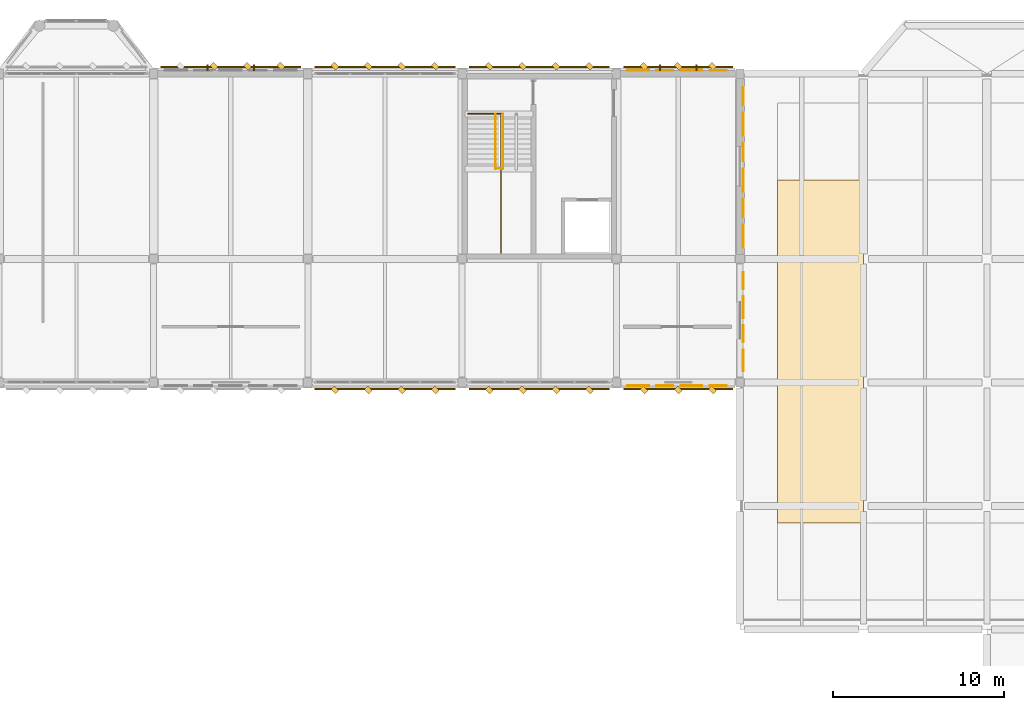
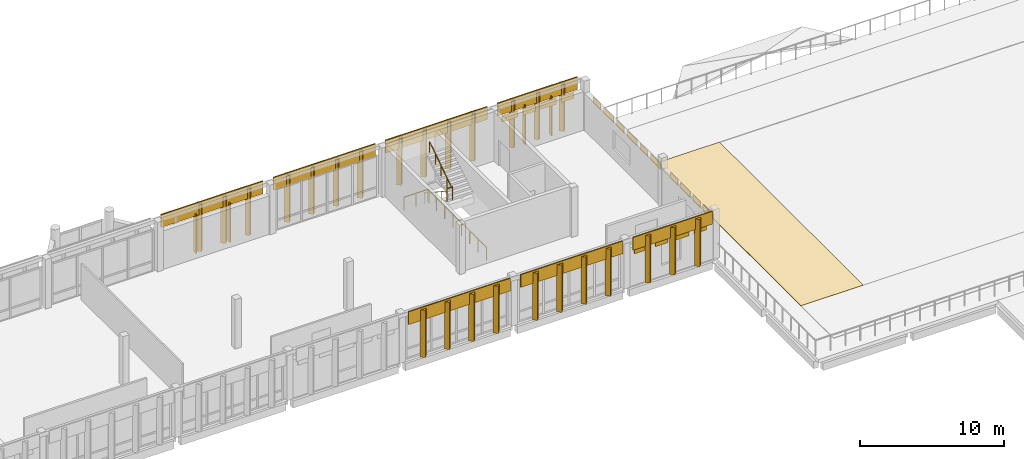
# One storey, part 70 of 72: 55 coverings, 4 railings.
"""IFC4 building model written with IfcOpenShell, lengths in metres."""

from ifc_helpers import new_model, si_unit, direction, frame, origin, origin_2d, place, context, subcontext, project, spatial, polyline, rectangle, circle, outline, extrude, material, layer, layer_set, type_object, element, save


model = new_model("IFC4")

# Units and contexts
model_context = context("Model", 3, precision=1e-05, world=origin(), true_north=direction((0.0, 1.0)))
body_context = subcontext(model_context, "Body", "Model", "MODEL_VIEW")
ifc_project = project(units=[si_unit("LENGTHUNIT", "METRE"), si_unit("AREAUNIT", "SQUARE_METRE"), si_unit("VOLUMEUNIT", "CUBIC_METRE"), si_unit("PLANEANGLEUNIT", "RADIAN"), si_unit("MASSUNIT", "GRAM", prefix="KILO")], contexts=[model_context])

# Site, building, storey
site_placement = place(None, origin())
site = spatial("IfcSite", under=ifc_project, at=site_placement, CompositionType="ELEMENT")
building_placement = place(site_placement, origin())
building = spatial("IfcBuilding", under=site, at=building_placement, Name="Lusvemor Sports Hall", CompositionType="ELEMENT")
storey_placement = place(building_placement, frame((0.0, 0.0, 15.0)))
storey = spatial("IfcBuildingStorey", under=building, at=storey_placement, Name="L03", CompositionType="ELEMENT", Elevation=15.0)

# Coverings
ifc_material_1 = material(Name="Emerald polychrome glazed ceramic cladding on Concrete C40/50 backing", Category="concrete")
ifc_layer_1 = layer(ifc_material_1, 0.0458984375)
ifc_layer_set_1 = layer_set([ifc_layer_1], Name="Emerald polychrome glazed ceramic cladding on Concrete C40/50 backing")
covering_type_1 = type_object("IfcCoveringType", Name="CLAD_WAVE_EMERALD", PredefinedType="CLADDING", material=ifc_layer_set_1)
for number, where, z_axis, x_axis, name in (
    (1, (112.875, 115.39794921875, 2.669921875), (0.0, 0.0, 1.0), (1.0, 0.0, 0.0), "Art Nouveau Patterned Cladding PS-EW-L03-N-1-11-1"),
    (2, (115.97509765625, 115.39794921875, 2.669921875), (0.0, 0.0, 1.0), (1.0, 0.0, 0.0), "Art Nouveau Patterned Cladding PS-EW-L03-N-1-11-3"),
):
    element("IfcCovering", number, at=place(storey_placement, frame(where, z_axis=z_axis, x_axis=x_axis)), inside=storey, type_object=covering_type_1, Name=name, PredefinedType="CLADDING", context=body_context, shape_type="SweptSolid", body=[
        extrude(rectangle(XDim=1.27099609375, YDim=0.0458984375, at=origin_2d()), origin(), (0.0, 0.0, 1.0), 0.510009765625),
    ])
for number, where, z_axis, x_axis, name in (
    (3, (118.998046875, 98.47509765625, 2.669921875), (0.0, 0.0, 1.0), (1.0, 0.0, 0.0), "Art Nouveau Patterned Cladding PS-EW-L03-E-2-0-1"),
    (4, (118.998046875, 101.574951171875, 2.669921875), (0.0, 0.0, 1.0), (1.0, 0.0, 0.0), "Art Nouveau Patterned Cladding PS-EW-L03-E-2-0-3"),
):
    element("IfcCovering", number, at=place(storey_placement, frame(where, z_axis=z_axis, x_axis=x_axis)), inside=storey, type_object=covering_type_1, Name=name, PredefinedType="CLADDING", context=body_context, shape_type="SweptSolid", body=[
        extrude(rectangle(XDim=0.0458984375, YDim=1.27099609375, at=origin_2d()), origin(), (0.0, 0.0, 1.0), 0.510009765625),
    ])
for number, where, z_axis, x_axis, name in (
    (5, (118.998046875, 105.716796875, 2.580078125), (0.0, 0.0, 1.0), (1.0, 0.0, 0.0), "Art Nouveau Patterned Cladding PS-EW-L03-E-2-1-1"),
    (6, (118.998046875, 108.9833984375, 2.580078125), (0.0, 0.0, 1.0), (1.0, 0.0, 0.0), "Art Nouveau Patterned Cladding PS-EW-L03-E-2-1-3"),
    (7, (118.998046875, 112.25, 2.580078125), (0.0, 0.0, 1.0), (1.0, 0.0, 0.0), "Art Nouveau Patterned Cladding PS-EW-L03-E-2-1-5"),
):
    element("IfcCovering", number, at=place(storey_placement, frame(where, z_axis=z_axis, x_axis=x_axis)), inside=storey, type_object=covering_type_1, Name=name, PredefinedType="CLADDING", context=body_context, shape_type="SweptSolid", body=[
        extrude(rectangle(XDim=0.0458984375, YDim=1.33935546875, at=origin_2d()), origin(), (0.0, 0.0, 1.0), 0.510009765625),
    ])
for number, where, z_axis, x_axis, name in (
    (8, (112.875, 97.001953125, 2.669921875), (0.0, 0.0, 1.0), (1.0, 0.0, 0.0), "Art Nouveau Patterned Cladding PS-EW-L03-S-3-9-1"),
    (9, (115.97509765625, 97.001953125, 2.669921875), (0.0, 0.0, 1.0), (1.0, 0.0, 0.0), "Art Nouveau Patterned Cladding PS-EW-L03-S-3-9-3"),
):
    element("IfcCovering", number, at=place(storey_placement, frame(where, z_axis=z_axis, x_axis=x_axis)), inside=storey, type_object=covering_type_1, Name=name, PredefinedType="CLADDING", context=body_context, shape_type="SweptSolid", body=[
        extrude(rectangle(XDim=1.27099609375, YDim=0.0458984375, at=origin_2d()), origin(), (0.0, 0.0, 1.0), 0.510009765625),
    ])
for number, where, z_axis, x_axis, name in (
    (10, (88.125, 115.639892578125, 0.10009765625), (0.0, 0.0, 1.0), (0.707106781187, 0.707106781187, 0.0), "Patterned Diamond Cladding Rib 744"),
    (11, (92.02490234375, 115.639892578125, 0.10009765625), (0.0, 0.0, 1.0), (0.707106781187, 0.707106781187, 0.0), "Patterned Diamond Cladding Rib 746"),
    (12, (97.125, 115.639892578125, 0.10009765625), (0.0, 0.0, 1.0), (0.707106781187, 0.707106781187, 0.0), "Patterned Diamond Cladding Rib 764"),
    (13, (101.02490234375, 115.639892578125, 0.10009765625), (0.0, 0.0, 1.0), (0.707106781187, 0.707106781187, 0.0), "Patterned Diamond Cladding Rib 766"),
    (14, (106.125, 115.639892578125, 0.10009765625), (0.0, 0.0, 1.0), (0.707106781187, 0.707106781187, 0.0), "Patterned Diamond Cladding Rib 784"),
    (15, (110.02490234375, 115.639892578125, 0.10009765625), (0.0, 0.0, 1.0), (0.707106781187, 0.707106781187, 0.0), "Patterned Diamond Cladding Rib 786"),
    (16, (115.199951171875, 115.639892578125, 0.10009765625), (0.0, 0.0, 1.0), (0.707106781187, 0.707106781187, 0.0), "Patterned Diamond Cladding Rib 801"),
    (17, (97.125, 96.760009765625, 0.10009765625), (0.0, 0.0, 1.0), (0.707106781187, 0.707106781187, 0.0), "Patterned Diamond Cladding Rib 1339"),
    (18, (101.02490234375, 96.760009765625, 0.10009765625), (0.0, 0.0, 1.0), (0.707106781187, 0.707106781187, 0.0), "Patterned Diamond Cladding Rib 1341"),
    (19, (106.125, 96.760009765625, 0.10009765625), (0.0, 0.0, 1.0), (0.707106781187, 0.707106781187, 0.0), "Patterned Diamond Cladding Rib 1359"),
    (20, (110.02490234375, 96.760009765625, 0.10009765625), (0.0, 0.0, 1.0), (0.707106781187, 0.707106781187, 0.0), "Patterned Diamond Cladding Rib 1361"),
    (21, (115.199951171875, 96.760009765625, 0.10009765625), (0.0, 0.0, 1.0), (0.707106781187, 0.707106781187, 0.0), "Patterned Diamond Cladding Rib 1376"),
):
    element("IfcCovering", number, at=place(storey_placement, frame(where, z_axis=z_axis, x_axis=x_axis)), inside=storey, type_object=covering_type_1, Name=name, PredefinedType="CLADDING", context=body_context, shape_type="SweptSolid", body=[
        extrude(rectangle(XDim=0.280029296875, YDim=0.3798828125, at=origin_2d()), origin(), (0.0, 0.0, 1.0), 4.0),
    ])
ifc_material_2 = material(Name="Warm terracotta Art Nouveau ceramic cladding on Concrete C40/50 backing", Category="masonry")
ifc_layer_2 = layer(ifc_material_2, 0.0380859375)
ifc_layer_set_2 = layer_set([ifc_layer_2], Name="Warm terracotta Art Nouveau ceramic cladding on Concrete C40/50 backing")
covering_type_2 = type_object("IfcCoveringType", Name="CLAD_WAVE_OCHRE", PredefinedType="CLADDING", material=ifc_layer_set_2)
for number, where, z_axis, x_axis, name in (
    (22, (114.425048828125, 115.39404296875, 2.669921875), (0.0, 0.0, 1.0), (1.0, 0.0, 0.0), "Art Nouveau Patterned Cladding PS-EW-L03-N-1-11-2"),
    (23, (117.52490234375, 115.39404296875, 2.669921875), (0.0, 0.0, 1.0), (1.0, 0.0, 0.0), "Art Nouveau Patterned Cladding PS-EW-L03-N-1-11-4"),
):
    element("IfcCovering", number, at=place(storey_placement, frame(where, z_axis=z_axis, x_axis=x_axis)), inside=storey, type_object=covering_type_2, Name=name, PredefinedType="CLADDING", context=body_context, shape_type="SweptSolid", body=[
        extrude(rectangle(XDim=0.991943359375, YDim=0.0380859375, at=origin_2d()), origin(), (0.0, 0.0, 1.0), 0.510009765625),
    ])
for number, where, z_axis, x_axis, name in (
    (24, (118.993896484375, 100.02490234375, 2.669921875), (0.0, 0.0, 1.0), (1.0, 0.0, 0.0), "Art Nouveau Patterned Cladding PS-EW-L03-E-2-0-2"),
    (25, (118.993896484375, 103.125, 2.669921875), (0.0, 0.0, 1.0), (1.0, 0.0, 0.0), "Art Nouveau Patterned Cladding PS-EW-L03-E-2-0-4"),
):
    element("IfcCovering", number, at=place(storey_placement, frame(where, z_axis=z_axis, x_axis=x_axis)), inside=storey, type_object=covering_type_2, Name=name, PredefinedType="CLADDING", context=body_context, shape_type="SweptSolid", body=[
        extrude(rectangle(XDim=0.0380859375, YDim=0.991943359375, at=origin_2d()), origin(), (0.0, 0.0, 1.0), 0.510009765625),
    ])
for number, where, z_axis, x_axis, name in (
    (26, (118.993896484375, 107.35009765625, 2.580078125), (0.0, 0.0, 1.0), (1.0, 0.0, 0.0), "Art Nouveau Patterned Cladding PS-EW-L03-E-2-1-2"),
    (27, (118.993896484375, 110.61669921875, 2.580078125), (0.0, 0.0, 1.0), (1.0, 0.0, 0.0), "Art Nouveau Patterned Cladding PS-EW-L03-E-2-1-4"),
    (28, (118.993896484375, 113.88330078125, 2.580078125), (0.0, 0.0, 1.0), (1.0, 0.0, 0.0), "Art Nouveau Patterned Cladding PS-EW-L03-E-2-1-6"),
):
    element("IfcCovering", number, at=place(storey_placement, frame(where, z_axis=z_axis, x_axis=x_axis)), inside=storey, type_object=covering_type_2, Name=name, PredefinedType="CLADDING", context=body_context, shape_type="SweptSolid", body=[
        extrude(rectangle(XDim=0.0380859375, YDim=1.04541015625, at=origin_2d()), origin(), (0.0, 0.0, 1.0), 0.510009765625),
    ])
for number, where, z_axis, x_axis, name in (
    (29, (114.425048828125, 97.006103515625, 2.669921875), (0.0, 0.0, 1.0), (1.0, 0.0, 0.0), "Art Nouveau Patterned Cladding PS-EW-L03-S-3-9-2"),
    (30, (117.52490234375, 97.006103515625, 2.669921875), (0.0, 0.0, 1.0), (1.0, 0.0, 0.0), "Art Nouveau Patterned Cladding PS-EW-L03-S-3-9-4"),
):
    element("IfcCovering", number, at=place(storey_placement, frame(where, z_axis=z_axis, x_axis=x_axis)), inside=storey, type_object=covering_type_2, Name=name, PredefinedType="CLADDING", context=body_context, shape_type="SweptSolid", body=[
        extrude(rectangle(XDim=0.991943359375, YDim=0.0380859375, at=origin_2d()), origin(), (0.0, 0.0, 1.0), 0.510009765625),
    ])
for number, where, z_axis, x_axis, name in (
    (31, (89.10009765625, 115.590087890625, 3.179931640625), (0.0, 0.0, 1.0), (1.0, 0.0, 0.0), "Art Nouveau Spandrel Cornice 742"),
    (32, (98.10009765625, 115.590087890625, 3.179931640625), (0.0, 0.0, 1.0), (1.0, 0.0, 0.0), "Art Nouveau Spandrel Cornice 762"),
    (33, (107.10009765625, 115.590087890625, 3.179931640625), (0.0, 0.0, 1.0), (1.0, 0.0, 0.0), "Art Nouveau Spandrel Cornice 782"),
):
    element("IfcCovering", number, at=place(storey_placement, frame(where, z_axis=z_axis, x_axis=x_axis)), inside=storey, type_object=covering_type_2, Name=name, PredefinedType="CLADDING", context=body_context, shape_type="SweptSolid", body=[
        extrude(rectangle(XDim=8.179931640625, YDim=0.090087890625, at=origin_2d()), origin(), (0.0, 0.0, 1.0), 1.080078125),
    ])
covering_1_placement = place(storey_placement, frame((115.199951171875, 115.590087890625, 3.179931640625), z_axis=(0.0, 0.0, 1.0), x_axis=(1.0, 0.0, 0.0)))
element("IfcCovering", 34, at=covering_1_placement, inside=storey, type_object=covering_type_2, Name="Art Nouveau Spandrel Cornice 799", PredefinedType="CLADDING", context=body_context, shape_type="SweptSolid", body=[
    extrude(rectangle(XDim=6.3798828125, YDim=0.090087890625, at=origin_2d()), origin(), (0.0, 0.0, 1.0), 1.080078125),
])
for number, where, z_axis, x_axis, name in (
    (35, (98.10009765625, 96.81005859375, 3.179931640625), (0.0, 0.0, 1.0), (1.0, 0.0, 0.0), "Art Nouveau Spandrel Cornice 1337"),
    (36, (107.10009765625, 96.81005859375, 3.179931640625), (0.0, 0.0, 1.0), (1.0, 0.0, 0.0), "Art Nouveau Spandrel Cornice 1357"),
):
    element("IfcCovering", number, at=place(storey_placement, frame(where, z_axis=z_axis, x_axis=x_axis)), inside=storey, type_object=covering_type_2, Name=name, PredefinedType="CLADDING", context=body_context, shape_type="SweptSolid", body=[
        extrude(rectangle(XDim=8.179931640625, YDim=0.090087890625, at=origin_2d()), origin(), (0.0, 0.0, 1.0), 1.080078125),
    ])
covering_2_placement = place(storey_placement, frame((115.199951171875, 96.81005859375, 3.179931640625), z_axis=(0.0, 0.0, 1.0), x_axis=(1.0, 0.0, 0.0)))
element("IfcCovering", 37, at=covering_2_placement, inside=storey, type_object=covering_type_2, Name="Art Nouveau Spandrel Cornice 1374", PredefinedType="CLADDING", context=body_context, shape_type="SweptSolid", body=[
    extrude(rectangle(XDim=6.3798828125, YDim=0.090087890625, at=origin_2d()), origin(), (0.0, 0.0, 1.0), 1.080078125),
])
ifc_material_3 = material(Name="Shock-absorbing red EPDM athletic running track surface")
ifc_layer_3 = layer(ifc_material_3, 0.0439453125)
ifc_layer_set_3 = layer_set([ifc_layer_3], Name="Shock-absorbing red EPDM athletic running track surface")
covering_type_3 = type_object("IfcCoveringType", Name="COV_TRACK_EPDM", PredefinedType="FLOORING", material=ifc_layer_set_3)
covering_3_placement = place(storey_placement, origin())
element("IfcCovering", 38, at=covering_3_placement, inside=storey, type_object=covering_type_3, Name="Athletic EPDM Surface 3", PredefinedType="FLOORING", context=body_context, shape_type="SweptSolid", body=[
    extrude(outline(polyline([(121.0, 89.0), (126.0, 89.0), (126.0, 109.0), (121.0, 109.0), (121.0, 89.0)])), origin(), (0.0, 0.0, 1.0), 0.0439453125),
])
ifc_material_4 = material(Name="Emerald polychrome glazed ceramic cladding on Concrete C40/50 backing", Category="concrete")
ifc_layer_4 = layer(ifc_material_4, 0.35009765625)
ifc_layer_set_4 = layer_set([ifc_layer_4], Name="Emerald polychrome glazed ceramic cladding on Concrete C40/50 backing")
covering_type_4 = type_object("IfcCoveringType", Name="FIN_BRISE_CER_350", PredefinedType="MOLDING", material=ifc_layer_set_4)
for number, where, z_axis, x_axis, name in (
    (39, (87.739990234375, 115.56005859375, 0.10009765625), (0.0, 0.0, 1.0), (1.0, 0.0, 0.0), "Wing Brise-Soleil Fin L03-N-1-8-1"),
    (40, (90.4599609375, 115.56005859375, 0.10009765625), (0.0, 0.0, 1.0), (1.0, 0.0, 0.0), "Wing Brise-Soleil Fin L03-N-1-8-2"),
    (41, (114.139892578125, 115.56005859375, 0.10009765625), (0.0, 0.0, 1.0), (1.0, 0.0, 0.0), "Wing Brise-Soleil Fin L03-N-1-11-1"),
    (42, (116.260009765625, 115.56005859375, 0.10009765625), (0.0, 0.0, 1.0), (1.0, 0.0, 0.0), "Wing Brise-Soleil Fin L03-N-1-11-2"),
):
    element("IfcCovering", number, at=place(storey_placement, frame(where, z_axis=z_axis, x_axis=x_axis)), inside=storey, type_object=covering_type_4, Name=name, PredefinedType="MOLDING", context=body_context, shape_type="SweptSolid", body=[
        extrude(rectangle(XDim=0.080078125, YDim=0.35009765625, at=origin_2d()), origin(), (0.0, 0.0, 1.0), 3.320068359375),
    ])
ifc_material_5 = material(Name="Warm terracotta Art Nouveau ceramic cladding on Concrete C40/50 backing", Category="masonry")
ifc_layer_5 = layer(ifc_material_5, 0.449951171875)
ifc_layer_set_5 = layer_set([ifc_layer_5], Name="Warm terracotta Art Nouveau ceramic cladding on Concrete C40/50 backing")
covering_type_5 = type_object("IfcCoveringType", Name="FIN_BRISE_CER_450", PredefinedType="MOLDING", material=ifc_layer_set_5)
for number, where, z_axis, x_axis, name in (
    (43, (90.074951171875, 115.639892578125, 0.10009765625), (0.0, 0.0, 1.0), (0.707106781187, 0.707106781187, 0.0), "Patterned Diamond Cladding Rib 745"),
    (44, (95.175048828125, 115.639892578125, 0.10009765625), (0.0, 0.0, 1.0), (0.707106781187, 0.707106781187, 0.0), "Patterned Diamond Cladding Rib 763"),
    (45, (99.074951171875, 115.639892578125, 0.10009765625), (0.0, 0.0, 1.0), (0.707106781187, 0.707106781187, 0.0), "Patterned Diamond Cladding Rib 765"),
    (46, (104.175048828125, 115.639892578125, 0.10009765625), (0.0, 0.0, 1.0), (0.707106781187, 0.707106781187, 0.0), "Patterned Diamond Cladding Rib 783"),
    (47, (108.074951171875, 115.639892578125, 0.10009765625), (0.0, 0.0, 1.0), (0.707106781187, 0.707106781187, 0.0), "Patterned Diamond Cladding Rib 785"),
    (48, (113.199951171875, 115.639892578125, 0.10009765625), (0.0, 0.0, 1.0), (0.707106781187, 0.707106781187, 0.0), "Patterned Diamond Cladding Rib 800"),
    (49, (117.199951171875, 115.639892578125, 0.10009765625), (0.0, 0.0, 1.0), (0.707106781187, 0.707106781187, 0.0), "Patterned Diamond Cladding Rib 802"),
    (50, (95.175048828125, 96.760009765625, 0.10009765625), (0.0, 0.0, 1.0), (0.707106781187, 0.707106781187, 0.0), "Patterned Diamond Cladding Rib 1338"),
    (51, (99.074951171875, 96.760009765625, 0.10009765625), (0.0, 0.0, 1.0), (0.707106781187, 0.707106781187, 0.0), "Patterned Diamond Cladding Rib 1340"),
    (52, (104.175048828125, 96.760009765625, 0.10009765625), (0.0, 0.0, 1.0), (0.707106781187, 0.707106781187, 0.0), "Patterned Diamond Cladding Rib 1358"),
    (53, (108.074951171875, 96.760009765625, 0.10009765625), (0.0, 0.0, 1.0), (0.707106781187, 0.707106781187, 0.0), "Patterned Diamond Cladding Rib 1360"),
    (54, (113.199951171875, 96.760009765625, 0.10009765625), (0.0, 0.0, 1.0), (0.707106781187, 0.707106781187, 0.0), "Patterned Diamond Cladding Rib 1375"),
    (55, (117.199951171875, 96.760009765625, 0.10009765625), (0.0, 0.0, 1.0), (0.707106781187, 0.707106781187, 0.0), "Patterned Diamond Cladding Rib 1377"),
):
    element("IfcCovering", number, at=place(storey_placement, frame(where, z_axis=z_axis, x_axis=x_axis)), inside=storey, type_object=covering_type_5, Name=name, PredefinedType="MOLDING", context=body_context, shape_type="SweptSolid", body=[
        extrude(rectangle(XDim=0.280029296875, YDim=0.3798828125, at=origin_2d()), origin(), (0.0, 0.0, 1.0), 4.0),
    ])

# Railings
ifc_material_6 = material(Name="Bronze-finished wrought-steel Art Nouveau balustrade", Category="steel")
railing_type_1 = type_object("IfcRailingType", Name="RAIL_HANDRAIL_092", PredefinedType="HANDRAIL", material=ifc_material_6)
railing_1_placement = place(storey_placement, frame((104.5400390625, 112.85009765625, 0.0)))
element("IfcRailing", 56, at=railing_1_placement, inside=storey, type_object=railing_type_1, Name="Stair STR-C4-L03 Handrail F1", PredefinedType="HANDRAIL", context=body_context, shape_type="SweptSolid", body=[
    extrude(circle(Radius=0.02392578125, at=origin_2d()), frame((0.0, 0.0, 0.89599609375), z_axis=(0.0, -0.835261802243, 0.549852454495), x_axis=(1.0, 0.0, 0.0)), (0.0, 0.0, 1.0), 3.8193359375),
    extrude(circle(Radius=0.02099609375, at=origin_2d()), origin(), (0.0, 0.0, 1.0), 0.871826171875),
    extrude(circle(Radius=0.02099609375, at=origin_2d()), frame((0.0, -0.797607421875, 0.52490234375)), (0.0, 0.0, 1.0), 0.871826171875),
    extrude(circle(Radius=0.02099609375, at=origin_2d()), frame((0.0, -1.59521484375, 1.050048828125)), (0.0, 0.0, 1.0), 0.871826171875),
    extrude(circle(Radius=0.02099609375, at=origin_2d()), frame((0.0, -2.392578125, 1.5751953125)), (0.0, 0.0, 1.0), 0.871826171875),
    extrude(circle(Radius=0.02099609375, at=origin_2d()), frame((0.0, -3.190185546875, 2.10009765625)), (0.0, 0.0, 1.0), 0.871826171875),
])
railing_2_placement = place(storey_placement, frame((104.97998046875, 109.659912109375, 2.10009765625)))
element("IfcRailing", 57, at=railing_2_placement, inside=storey, type_object=railing_type_1, Name="Stair STR-C4-L03 Handrail F2", PredefinedType="HANDRAIL", context=body_context, shape_type="SweptSolid", body=[
    extrude(circle(Radius=0.02392578125, at=origin_2d()), frame((0.0, 0.0, 0.89599609375), z_axis=(0.0, 0.835291159344, 0.549807856548), x_axis=(-1.0, 0.0, 0.0)), (0.0, 0.0, 1.0), 3.8193359375),
    extrude(circle(Radius=0.02099609375, at=origin_2d()), origin(), (0.0, 0.0, 1.0), 0.871826171875),
    extrude(circle(Radius=0.02099609375, at=origin_2d()), frame((0.0, 0.797607421875, 0.52490234375)), (0.0, 0.0, 1.0), 0.871826171875),
    extrude(circle(Radius=0.02099609375, at=origin_2d()), frame((0.0, 1.59521484375, 1.0498046875)), (0.0, 0.0, 1.0), 0.871826171875),
    extrude(circle(Radius=0.02099609375, at=origin_2d()), frame((0.0, 2.392578125, 1.574951171875)), (0.0, 0.0, 1.0), 0.871826171875),
    extrude(circle(Radius=0.02099609375, at=origin_2d()), frame((0.0, 3.190185546875, 2.099853515625)), (0.0, 0.0, 1.0), 0.871826171875),
])
ifc_material_7 = material(Name="Bronze-finished wrought-steel Art Nouveau balustrade", Category="steel")
railing_type_2 = type_object("IfcRailingType", Name="RAIL_STAIR_GUARD_112", PredefinedType="GUARDRAIL", material=ifc_material_7)
railing_3_placement = place(storey_placement, frame((102.93994140625, 112.8701171875, 0.0)))
element("IfcRailing", 58, at=railing_3_placement, inside=storey, type_object=railing_type_2, Name="Stairwell C4 Top Guard (L03)", PredefinedType="GUARDRAIL", context=body_context, shape_type="SweptSolid", body=[
    extrude(circle(Radius=0.02392578125, at=origin_2d()), frame((0.0, 0.0, 1.09619140625), z_axis=(1.0, 0.0, 0.0), x_axis=(0.0, 1.0, 0.0)), (0.0, 0.0, 1.0), 1.920166015625),
    extrude(circle(Radius=0.02392578125, at=origin_2d()), frame((1.920166015625, 0.0, 1.09619140625), z_axis=(0.0, -1.0, 0.0), x_axis=(1.0, 0.0, 0.0)), (0.0, 0.0, 1.0), 8.130126953125),
    extrude(circle(Radius=0.02099609375, at=origin_2d()), origin(), (0.0, 0.0, 1.0), 1.072021484375),
    extrude(circle(Radius=0.02099609375, at=origin_2d()), frame((0.9599609375, 0.0, 0.0)), (0.0, 0.0, 1.0), 1.072021484375),
    extrude(circle(Radius=0.02099609375, at=origin_2d()), frame((1.920166015625, 0.0, 0.0)), (0.0, 0.0, 1.0), 1.072021484375),
    extrude(circle(Radius=0.02099609375, at=origin_2d()), frame((1.920166015625, -1.161376953125, 0.0)), (0.0, 0.0, 1.0), 1.072021484375),
    extrude(circle(Radius=0.02099609375, at=origin_2d()), frame((1.920166015625, -2.322998046875, 0.0)), (0.0, 0.0, 1.0), 1.072021484375),
    extrude(circle(Radius=0.02099609375, at=origin_2d()), frame((1.920166015625, -3.484375, 0.0)), (0.0, 0.0, 1.0), 1.072021484375),
    extrude(circle(Radius=0.02099609375, at=origin_2d()), frame((1.920166015625, -4.645751953125, 0.0)), (0.0, 0.0, 1.0), 1.072021484375),
    extrude(circle(Radius=0.02099609375, at=origin_2d()), frame((1.920166015625, -5.80712890625, 0.0)), (0.0, 0.0, 1.0), 1.072021484375),
    extrude(circle(Radius=0.02099609375, at=origin_2d()), frame((1.920166015625, -6.96875, 0.0)), (0.0, 0.0, 1.0), 1.072021484375),
    extrude(circle(Radius=0.02099609375, at=origin_2d()), frame((1.920166015625, -8.130126953125, 0.0)), (0.0, 0.0, 1.0), 1.072021484375),
])
railing_4_placement = place(storey_placement, frame((104.5400390625, 109.679931640625, 2.10009765625)))
element("IfcRailing", 59, at=railing_4_placement, inside=storey, type_object=railing_type_2, Name="Stair STR-C4-L03 Mid Well Guard", PredefinedType="GUARDRAIL", context=body_context, shape_type="SweptSolid", body=[
    extrude(circle(Radius=0.02392578125, at=origin_2d()), frame((0.0, 0.0, 1.09619140625), z_axis=(1.0, 0.0, 0.0), x_axis=(0.0, 1.0, 0.0)), (0.0, 0.0, 1.0), 0.43994140625),
    extrude(circle(Radius=0.02099609375, at=origin_2d()), origin(), (0.0, 0.0, 1.0), 1.072021484375),
    extrude(circle(Radius=0.02099609375, at=origin_2d()), frame((0.43994140625, 0.0, 0.0)), (0.0, 0.0, 1.0), 1.072021484375),
])

save(model, "model.ifc")
